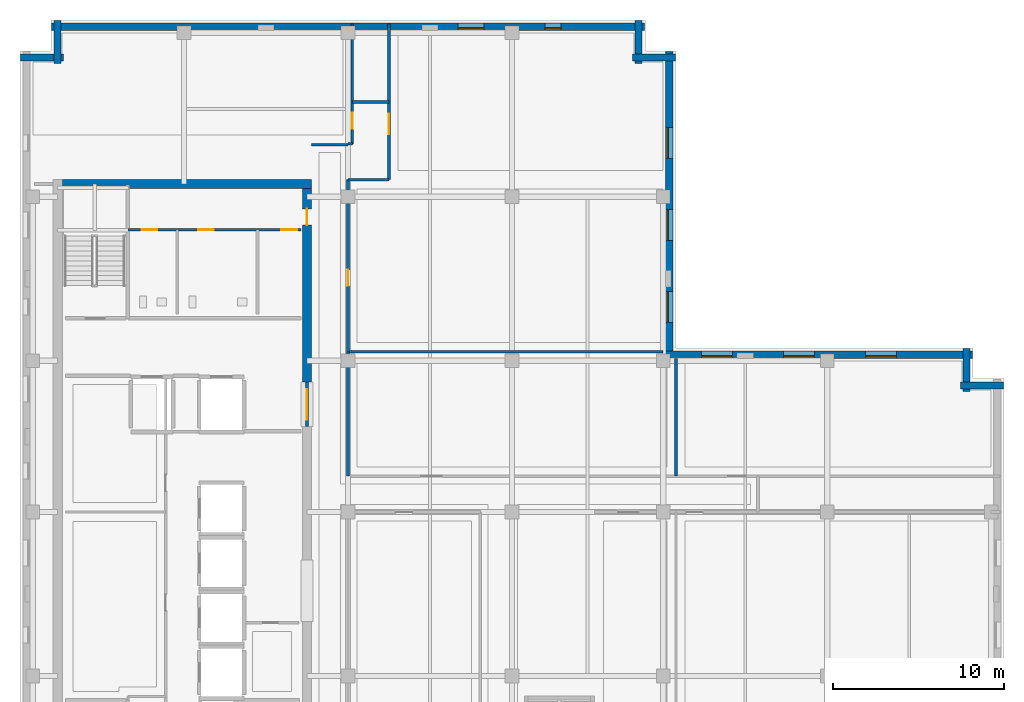
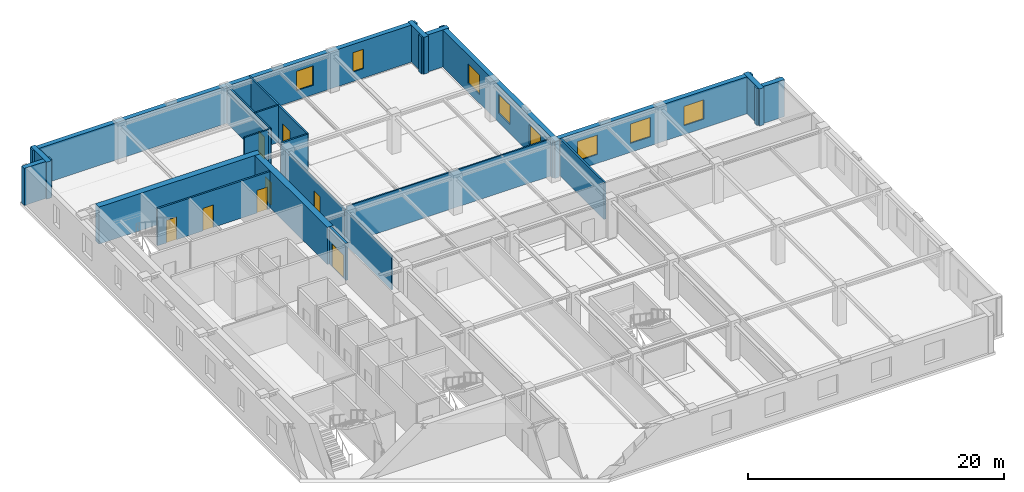
# One storey, part 6 of 12: 23 walls, 8 doors, 8 windows, 16 openings.
"""IFC4 building model written with IfcOpenShell, lengths in metres."""

from ifc_helpers import new_model, si_unit, direction, frame, frame_2d, origin, place, context, subcontext, project, spatial, rectangle, extrude, material, layer, layer_set, type_object, element, fill, save


model = new_model("IFC4")

# Units and contexts
model_context = context("Model", 3, precision=1e-05, world=origin(), true_north=direction((0.0, 1.0)))
body_context = subcontext(model_context, "Body", "Model", "MODEL_VIEW")
ifc_project = project(units=[si_unit("LENGTHUNIT", "METRE"), si_unit("AREAUNIT", "SQUARE_METRE"), si_unit("VOLUMEUNIT", "CUBIC_METRE"), si_unit("PLANEANGLEUNIT", "RADIAN"), si_unit("MASSUNIT", "GRAM", prefix="KILO")], contexts=[model_context])

# Site, building, storey
site_placement = place(None, origin())
site = spatial("IfcSite", under=ifc_project, at=site_placement, CompositionType="ELEMENT")
building_placement = place(site_placement, origin())
building = spatial("IfcBuilding", under=site, at=building_placement, Name="Norrvale University Quadrangle", CompositionType="ELEMENT")
storey_placement = place(building_placement, frame((0.0, 0.0, 240.800048828125)))
storey = spatial("IfcBuildingStorey", under=building, at=storey_placement, Name="L61", CompositionType="ELEMENT", Elevation=240.800048828125)

# Walls
ifc_material_1 = material(Name="Buff Norman Clay Brick Masonry", Category="masonry")
ifc_layer_1 = layer(ifc_material_1, 0.419921875, Name="Buff Norman Clay Brick Masonry")
ifc_layer_set_1 = layer_set([ifc_layer_1], Name="Buff Norman Clay Brick Masonry")
wall_type_1 = type_object("IfcWallType", Name="Wall Buff Brick 420", PredefinedType="SOLIDWALL", material=ifc_layer_set_1)
for number, where, z_axis, x_axis, name in (
    (1, (57.56005859375, 36.2099609375, 0.0), (0.0, 0.0, 1.0), (-1.0, 0.0, 0.0), "Exterior Brick Facade Wall L61-05.1"),
    (2, (55.409912109375, 35.860107421875, 0.0), (0.0, 0.0, 1.0), (0.0, 1.0, 0.0), "Exterior Brick Facade Wall L61-06.1"),
):
    element("IfcWall", number, at=place(storey_placement, frame(where, z_axis=z_axis, x_axis=x_axis)), inside=storey, type_object=wall_type_1, Name=name, PredefinedType="SOLIDWALL", context=body_context, shape_type="SweptSolid", body=[
        extrude(rectangle(XDim=2.5, YDim=0.419921875, at=frame_2d((1.25, 0.0))), origin(), (0.0, 0.0, 1.0), 3.5400390625),
    ])

# Wall, openings, windows
wall_1_placement = place(storey_placement, frame((55.760009765625, 38.010009765625, 0.0), z_axis=(0.0, 0.0, 1.0), x_axis=(-1.0, 0.0, 0.0)))
wall_1 = element("IfcWall", 3, at=wall_1_placement, inside=storey, type_object=wall_type_1, Name="Exterior Brick Facade Wall L61-07.1", PredefinedType="SOLIDWALL", context=body_context, shape_type="SweptSolid", body=[
    extrude(rectangle(XDim=18.10009765625, YDim=0.419921875, at=frame_2d((9.050048828125, 0.0))), origin(), (0.0, 0.0, 1.0), 3.5400390625),
])
opening_1_placement = place(wall_1_placement, frame((4.4599609375, 0.0, 0.85009765625)))
opening_1 = element("IfcOpeningElement", 4, at=opening_1_placement, cuts=wall_1, Name="Opening W01", PredefinedType="OPENING", context=body_context, shape_type="SweptSolid", body=[
    extrude(rectangle(XDim=1.800048828125, YDim=1.85009765625, at=frame_2d((0.89990234375, 0.925048828125))), frame((0.0, 0.221923828125, 0.0), z_axis=(0.0, -1.0, 0.0), x_axis=(1.0, 0.0, 0.0)), (0.0, 0.0, 1.0), 0.44384765625),
])
opening_2_placement = place(wall_1_placement, frame((9.260009765625, 0.0, 0.85009765625)))
opening_2 = element("IfcOpeningElement", 5, at=opening_2_placement, cuts=wall_1, Name="Opening W01", PredefinedType="OPENING", context=body_context, shape_type="SweptSolid", body=[
    extrude(rectangle(XDim=1.800048828125, YDim=1.85009765625, at=frame_2d((0.89990234375, 0.925048828125))), frame((0.0, 0.221923828125, 0.0), z_axis=(0.0, -1.0, 0.0), x_axis=(1.0, 0.0, 0.0)), (0.0, 0.0, 1.0), 0.44384765625),
])
opening_3_placement = place(wall_1_placement, frame((14.06005859375, 0.0, 0.85009765625)))
opening_3 = element("IfcOpeningElement", 6, at=opening_3_placement, cuts=wall_1, Name="Opening W01", PredefinedType="OPENING", context=body_context, shape_type="SweptSolid", body=[
    extrude(rectangle(XDim=1.800048828125, YDim=1.85009765625, at=frame_2d((0.89990234375, 0.925048828125))), frame((0.0, 0.221923828125, 0.0), z_axis=(0.0, -1.0, 0.0), x_axis=(1.0, 0.0, 0.0)), (0.0, 0.0, 1.0), 0.44384765625),
])
ifc_material_2 = material(Name="Triple Low-E Argon Glazing", Category="glass")
window_type_1 = type_object("IfcWindowType", Name="Window Academic 1800x2300", PartitioningType="DOUBLE_PANEL_VERTICAL", PredefinedType="WINDOW", material=ifc_material_2)
window_1_placement = place(opening_1_placement, origin())
window_1 = element("IfcWindow", 7, at=window_1_placement, inside=storey, type_object=window_type_1, Name="Window Academic 1800x2300 WIN-L61-E07-1-01", OverallHeight=1.85009765625, OverallWidth=1.800048828125, PartitioningType="DOUBLE_PANEL_VERTICAL", PredefinedType="WINDOW", context=body_context, shape_type="SweptSolid", body=[
    extrude(rectangle(XDim=1.800048828125, YDim=1.85009765625, at=frame_2d((0.89990234375, 0.925048828125))), frame((0.0, 0.110107421875, 0.0), z_axis=(0.0, -1.0, 0.0), x_axis=(1.0, 0.0, 0.0)), (0.0, 0.0, 1.0), 0.06005859375),
])
fill(opening_1, window_1)
window_2_placement = place(opening_2_placement, origin())
window_2 = element("IfcWindow", 8, at=window_2_placement, inside=storey, type_object=window_type_1, Name="Window Academic 1800x2300 WIN-L61-E07-1-02", OverallHeight=1.85009765625, OverallWidth=1.800048828125, PartitioningType="DOUBLE_PANEL_VERTICAL", PredefinedType="WINDOW", context=body_context, shape_type="SweptSolid", body=[
    extrude(rectangle(XDim=1.800048828125, YDim=1.85009765625, at=frame_2d((0.89990234375, 0.925048828125))), frame((0.0, 0.110107421875, 0.0), z_axis=(0.0, -1.0, 0.0), x_axis=(1.0, 0.0, 0.0)), (0.0, 0.0, 1.0), 0.06005859375),
])
fill(opening_2, window_2)
window_3_placement = place(opening_3_placement, origin())
window_3 = element("IfcWindow", 9, at=window_3_placement, inside=storey, type_object=window_type_1, Name="Window Academic 1800x2300 WIN-L61-E07-1-03", OverallHeight=1.85009765625, OverallWidth=1.800048828125, PartitioningType="DOUBLE_PANEL_VERTICAL", PredefinedType="WINDOW", context=body_context, shape_type="SweptSolid", body=[
    extrude(rectangle(XDim=1.800048828125, YDim=1.85009765625, at=frame_2d((0.89990234375, 0.925048828125))), frame((0.0, 0.110107421875, 0.0), z_axis=(0.0, -1.0, 0.0), x_axis=(1.0, 0.0, 0.0)), (0.0, 0.0, 1.0), 0.06005859375),
])
fill(opening_3, window_3)

wall_2_placement = place(storey_placement, frame((38.010009765625, 37.659912109375, 0.0), z_axis=(0.0, 0.0, 1.0), x_axis=(0.0, 1.0, 0.0)))
wall_2 = element("IfcWall", 10, at=wall_2_placement, inside=storey, type_object=wall_type_1, Name="Exterior Brick Facade Wall L61-08.1", PredefinedType="SOLIDWALL", context=body_context, shape_type="SweptSolid", body=[
    extrude(rectangle(XDim=18.10009765625, YDim=0.419921875, at=frame_2d((9.050048828125, 0.0))), origin(), (0.0, 0.0, 1.0), 3.5400390625),
])
opening_4_placement = place(wall_2_placement, frame((2.239990234375, 0.0, 0.85009765625)))
opening_4 = element("IfcOpeningElement", 11, at=opening_4_placement, cuts=wall_2, Name="Opening W01", PredefinedType="OPENING", context=body_context, shape_type="SweptSolid", body=[
    extrude(rectangle(XDim=1.800048828125, YDim=1.85009765625, at=frame_2d((0.89990234375, 0.925048828125))), frame((0.0, 0.221923828125, 0.0), z_axis=(0.0, -1.0, 0.0), x_axis=(1.0, 0.0, 0.0)), (0.0, 0.0, 1.0), 0.44384765625),
])
opening_5_placement = place(wall_2_placement, frame((7.0400390625, 0.0, 0.85009765625)))
opening_5 = element("IfcOpeningElement", 12, at=opening_5_placement, cuts=wall_2, Name="Opening W01", PredefinedType="OPENING", context=body_context, shape_type="SweptSolid", body=[
    extrude(rectangle(XDim=1.800048828125, YDim=1.85009765625, at=frame_2d((0.89990234375, 0.925048828125))), frame((0.0, 0.221923828125, 0.0), z_axis=(0.0, -1.0, 0.0), x_axis=(1.0, 0.0, 0.0)), (0.0, 0.0, 1.0), 0.44384765625),
])
opening_6_placement = place(wall_2_placement, frame((11.840087890625, 0.0, 0.85009765625)))
opening_6 = element("IfcOpeningElement", 13, at=opening_6_placement, cuts=wall_2, Name="Opening W01", PredefinedType="OPENING", context=body_context, shape_type="SweptSolid", body=[
    extrude(rectangle(XDim=1.800048828125, YDim=1.85009765625, at=frame_2d((0.89990234375, 0.925048828125))), frame((0.0, 0.221923828125, 0.0), z_axis=(0.0, -1.0, 0.0), x_axis=(1.0, 0.0, 0.0)), (0.0, 0.0, 1.0), 0.44384765625),
])
window_4_placement = place(opening_4_placement, origin())
window_4 = element("IfcWindow", 14, at=window_4_placement, inside=storey, type_object=window_type_1, Name="Window Academic 1800x2300 WIN-L61-E08-1-01", OverallHeight=1.85009765625, OverallWidth=1.800048828125, PartitioningType="DOUBLE_PANEL_VERTICAL", PredefinedType="WINDOW", context=body_context, shape_type="SweptSolid", body=[
    extrude(rectangle(XDim=1.800048828125, YDim=1.85009765625, at=frame_2d((0.89990234375, 0.925048828125))), frame((0.0, 0.110107421875, 0.0), z_axis=(0.0, -1.0, 0.0), x_axis=(1.0, 0.0, 0.0)), (0.0, 0.0, 1.0), 0.06005859375),
])
fill(opening_4, window_4)
window_5_placement = place(opening_5_placement, origin())
window_5 = element("IfcWindow", 15, at=window_5_placement, inside=storey, type_object=window_type_1, Name="Window Academic 1800x2300 WIN-L61-E08-1-02", OverallHeight=1.85009765625, OverallWidth=1.800048828125, PartitioningType="DOUBLE_PANEL_VERTICAL", PredefinedType="WINDOW", context=body_context, shape_type="SweptSolid", body=[
    extrude(rectangle(XDim=1.800048828125, YDim=1.85009765625, at=frame_2d((0.89990234375, 0.925048828125))), frame((0.0, 0.110107421875, 0.0), z_axis=(0.0, -1.0, 0.0), x_axis=(1.0, 0.0, 0.0)), (0.0, 0.0, 1.0), 0.06005859375),
])
fill(opening_5, window_5)
window_6_placement = place(opening_6_placement, origin())
window_6 = element("IfcWindow", 16, at=window_6_placement, inside=storey, type_object=window_type_1, Name="Window Academic 1800x2300 WIN-L61-E08-1-03", OverallHeight=1.85009765625, OverallWidth=1.800048828125, PartitioningType="DOUBLE_PANEL_VERTICAL", PredefinedType="WINDOW", context=body_context, shape_type="SweptSolid", body=[
    extrude(rectangle(XDim=1.800048828125, YDim=1.85009765625, at=frame_2d((0.89990234375, 0.925048828125))), frame((0.0, 0.110107421875, 0.0), z_axis=(0.0, -1.0, 0.0), x_axis=(1.0, 0.0, 0.0)), (0.0, 0.0, 1.0), 0.06005859375),
])
fill(opening_6, window_6)

# Walls
for number, where, z_axis, x_axis, name in (
    (17, (38.360107421875, 55.409912109375, 0.0), (0.0, 0.0, 1.0), (-1.0, 0.0, 0.0), "Exterior Brick Facade Wall L61-09.1"),
    (18, (36.2099609375, 55.06005859375, 0.0), (0.0, 0.0, 1.0), (0.0, 1.0, 0.0), "Exterior Brick Facade Wall L61-10.1"),
):
    element("IfcWall", number, at=place(storey_placement, frame(where, z_axis=z_axis, x_axis=x_axis)), inside=storey, type_object=wall_type_1, Name=name, PredefinedType="SOLIDWALL", context=body_context, shape_type="SweptSolid", body=[
        extrude(rectangle(XDim=2.5, YDim=0.419921875, at=frame_2d((1.25, 0.0))), origin(), (0.0, 0.0, 1.0), 3.5400390625),
    ])

# Wall, openings, windows
wall_3_placement = place(storey_placement, frame((36.56005859375, 57.2099609375, 0.0), z_axis=(0.0, 0.0, 1.0), x_axis=(-1.0, 0.0, 0.0)))
wall_3 = element("IfcWall", 19, at=wall_3_placement, inside=storey, type_object=wall_type_1, Name="Exterior Brick Facade Wall L61-11.1", PredefinedType="SOLIDWALL", context=body_context, shape_type="SweptSolid", body=[
    extrude(rectangle(XDim=34.719970703125, YDim=0.419921875, at=frame_2d((17.35986328125, 0.0))), origin(), (0.0, 0.0, 1.0), 3.5400390625),
])
opening_7_placement = place(wall_3_placement, frame((4.885009765625, 0.0, 0.89990234375)))
opening_7 = element("IfcOpeningElement", 20, at=opening_7_placement, cuts=wall_3, Name="Opening W04", PredefinedType="OPENING", context=body_context, shape_type="SweptSolid", body=[
    extrude(rectangle(XDim=0.949951171875, YDim=1.85009765625, at=frame_2d((0.47509765625, 0.925048828125))), frame((0.0, 0.221923828125, 0.0), z_axis=(0.0, -1.0, 0.0), x_axis=(1.0, 0.0, 0.0)), (0.0, 0.0, 1.0), 0.44384765625),
])
opening_8_placement = place(wall_3_placement, frame((9.409912109375, 0.0, 0.89990234375)))
opening_8 = element("IfcOpeningElement", 21, at=opening_8_placement, cuts=wall_3, Name="Opening W03", PredefinedType="OPENING", context=body_context, shape_type="SweptSolid", body=[
    extrude(rectangle(XDim=1.5, YDim=1.85009765625, at=frame_2d((0.75, 0.925048828125))), frame((0.0, 0.221923828125, 0.0), z_axis=(0.0, -1.0, 0.0), x_axis=(1.0, 0.0, 0.0)), (0.0, 0.0, 1.0), 0.44384765625),
])
window_type_2 = type_object("IfcWindowType", Name="Window Narrow Pier 950x2300", PartitioningType="SINGLE_PANEL", PredefinedType="WINDOW", material=ifc_material_2)
window_7_placement = place(opening_7_placement, origin())
window_7 = element("IfcWindow", 22, at=window_7_placement, inside=storey, type_object=window_type_2, Name="Window Narrow Pier 950x2300 WIN-L61-E11-1-01", OverallHeight=1.85009765625, OverallWidth=0.949951171875, PartitioningType="SINGLE_PANEL", PredefinedType="WINDOW", context=body_context, shape_type="SweptSolid", body=[
    extrude(rectangle(XDim=0.949951171875, YDim=1.85009765625, at=frame_2d((0.47509765625, 0.925048828125))), frame((0.0, 0.110107421875, 0.0), z_axis=(0.0, -1.0, 0.0), x_axis=(1.0, 0.0, 0.0)), (0.0, 0.0, 1.0), 0.06005859375),
])
fill(opening_7, window_7)
window_type_3 = type_object("IfcWindowType", Name="Window Studio 1500x2300", PartitioningType="DOUBLE_PANEL_VERTICAL", PredefinedType="WINDOW", material=ifc_material_2)
window_8_placement = place(opening_8_placement, origin())
window_8 = element("IfcWindow", 23, at=window_8_placement, inside=storey, type_object=window_type_3, Name="Window Studio 1500x2300 WIN-L61-E11-1-02", OverallHeight=1.85009765625, OverallWidth=1.5, PartitioningType="DOUBLE_PANEL_VERTICAL", PredefinedType="WINDOW", context=body_context, shape_type="SweptSolid", body=[
    extrude(rectangle(XDim=1.5, YDim=1.85009765625, at=frame_2d((0.75, 0.925048828125))), frame((0.0, 0.110107421875, 0.0), z_axis=(0.0, -1.0, 0.0), x_axis=(1.0, 0.0, 0.0)), (0.0, 0.0, 1.0), 0.06005859375),
])
fill(opening_8, window_8)

# Walls
for number, where, z_axis, x_axis, name in (
    (24, (2.18994140625, 57.56005859375, 0.0), (0.0, 0.0, 1.0), (0.0, -1.0, 0.0), "Exterior Brick Facade Wall L61-12.1"),
    (25, (2.5400390625, 55.409912109375, 0.0), (0.0, 0.0, 1.0), (-1.0, 0.0, 0.0), "Exterior Brick Facade Wall L61-13.1"),
):
    element("IfcWall", number, at=place(storey_placement, frame(where, z_axis=z_axis, x_axis=x_axis)), inside=storey, type_object=wall_type_1, Name=name, PredefinedType="SOLIDWALL", context=body_context, shape_type="SweptSolid", body=[
        extrude(rectangle(XDim=2.5, YDim=0.419921875, at=frame_2d((1.25, 0.0))), origin(), (0.0, 0.0, 1.0), 3.5400390625),
    ])
ifc_material_3 = material(Name="Concrete C60/75", Category="concrete")
ifc_layer_2 = layer(ifc_material_3, 0.550048828125, Name="Concrete C60/75")
ifc_layer_set_2 = layer_set([ifc_layer_2], Name="Concrete C60/75")
wall_type_2 = type_object("IfcWallType", Name="Wall Core 550", PredefinedType="SHEAR", material=ifc_layer_set_2)
wall_4_placement = place(storey_placement, frame((2.47509765625, 48.0, 0.0), z_axis=(0.0, 0.0, 1.0), x_axis=(1.0, 0.0, 0.0)))
element("IfcWall", 26, at=wall_4_placement, inside=storey, type_object=wall_type_2, Name="Tower Core Shear Wall L61-N", PredefinedType="SHEAR", context=body_context, shape_type="SweptSolid", body=[
    extrude(rectangle(XDim=14.599853515625, YDim=0.550048828125, at=frame_2d((7.2998046875, 0.0))), origin(), (0.0, 0.0, 1.0), 3.5400390625),
])

# Wall, opening, door
wall_5_placement = place(storey_placement, frame((16.800048828125, 36.39990234375, 0.0), z_axis=(0.0, 0.0, 1.0), x_axis=(0.0, 1.0, 0.0)))
wall_5 = element("IfcWall", 27, at=wall_5_placement, inside=storey, type_object=wall_type_2, Name="Tower Core Shear Wall L61-E3", PredefinedType="SHEAR", context=body_context, shape_type="SweptSolid", body=[
    extrude(rectangle(XDim=11.3251953125, YDim=0.550048828125, at=frame_2d((5.66259765625, 0.0))), origin(), (0.0, 0.0, 1.0), 3.5400390625),
])
opening_9_placement = place(wall_5_placement, frame((9.199951171875, 0.0, 0.0)))
opening_9 = element("IfcOpeningElement", 28, at=opening_9_placement, cuts=wall_5, Name="Opening D07", PredefinedType="OPENING", context=body_context, shape_type="SweptSolid", body=[
    extrude(rectangle(XDim=0.949951171875, YDim=2.14990234375, at=frame_2d((0.47509765625, 1.074951171875))), frame((0.0, 0.287109375, 0.0), z_axis=(0.0, -1.0, 0.0), x_axis=(1.0, 0.0, 0.0)), (0.0, 0.0, 1.0), 0.573974609375),
])
ifc_material_4 = material(Name="Solid-Core Maple Door", Category="wood")
door_type_1 = type_object("IfcDoorType", Name="Door Office 950x2150", OperationType="NOTDEFINED", PredefinedType="DOOR", material=ifc_material_4)
door_1_placement = place(opening_9_placement, origin())
door_1 = element("IfcDoor", 29, at=door_1_placement, inside=storey, type_object=door_type_1, Name="Door Office 950x2150 DR-L61-NECORR", OperationType="SINGLE_SWING_RIGHT", OverallHeight=2.14990234375, OverallWidth=0.949951171875, PredefinedType="DOOR", context=body_context, shape_type="SweptSolid", body=[
    extrude(rectangle(XDim=0.949951171875, YDim=2.14990234375, at=frame_2d((0.47509765625, 1.074951171875))), frame((0.0, 0.02490234375, 0.0), z_axis=(0.0, -1.0, 0.0), x_axis=(1.0, 0.0, 0.0)), (0.0, 0.0, 1.0), 0.050048828125),
])
fill(opening_9, door_1)

# Walls
ifc_material_5 = material(Name="Standard Academic Gypsum Partition")
ifc_layer_3 = layer(ifc_material_5, 0.125, Name="Standard Academic Gypsum Partition")
ifc_layer_set_3 = layer_set([ifc_layer_3], Name="Standard Academic Gypsum Partition")
wall_type_3 = type_object("IfcWallType", Name="Wall Gypsum Academic 125", PredefinedType="PARTITIONING", material=ifc_layer_set_3)
wall_6_placement = place(storey_placement, frame((19.280029296875, 38.179931640625, 0.0), z_axis=(0.0, 0.0, 1.0), x_axis=(1.0, 0.0, 0.0)))
element("IfcWall", 30, at=wall_6_placement, inside=storey, type_object=wall_type_3, Name="Interior Partition WL-L61-ME-N", PredefinedType="PARTITIONING", context=body_context, shape_type="SweptSolid", body=[
    extrude(rectangle(XDim=18.369873046875, YDim=0.125, at=frame_2d((9.18505859375, 0.0))), origin(), (0.0, 0.0, 1.0), 3.5400390625),
])
ifc_material_6 = material(Name="Fire-Rated Gypsum Stud Partition")
ifc_layer_4 = layer(ifc_material_6, 0.14990234375, Name="Fire-Rated Gypsum Stud Partition")
ifc_layer_set_4 = layer_set([ifc_layer_4], Name="Fire-Rated Gypsum Stud Partition")
wall_type_4 = type_object("IfcWallType", Name="Wall Gypsum Corridor 150", PredefinedType="PARTITIONING", material=ifc_layer_set_4)
wall_7_placement = place(storey_placement, frame((17.050048828125, 50.300048828125, 0.0), z_axis=(0.0, 0.0, 1.0), x_axis=(1.0, 0.0, 0.0)))
element("IfcWall", 31, at=wall_7_placement, inside=storey, type_object=wall_type_4, Name="Interior Partition WL-L61-CSP-N", PredefinedType="PARTITIONING", context=body_context, shape_type="SweptSolid", body=[
    extrude(rectangle(XDim=2.14990234375, YDim=0.14990234375, at=frame_2d((1.074951171875, 0.0))), origin(), (0.0, 0.0, 1.0), 3.5400390625),
])
wall_8_placement = place(storey_placement, frame((19.199951171875, 30.89990234375, 0.0), z_axis=(0.0, 0.0, 1.0), x_axis=(0.0, 1.0, 0.0)))
element("IfcWall", 32, at=wall_8_placement, inside=storey, type_object=wall_type_4, Name="Interior Partition WL-L61-ME-W", PredefinedType="PARTITIONING", context=body_context, shape_type="SweptSolid", body=[
    extrude(rectangle(XDim=7.280029296875, YDim=0.14990234375, at=frame_2d((3.64013671875, 0.0))), origin(), (0.0, 0.0, 1.0), 3.23193359375),
])

# Wall, opening, door
wall_9_placement = place(storey_placement, frame((19.199951171875, 38.179931640625, 0.0), z_axis=(0.0, 0.0, 1.0), x_axis=(0.0, 1.0, 0.0)))
wall_9 = element("IfcWall", 33, at=wall_9_placement, inside=storey, type_object=wall_type_4, Name="Interior Partition WL-L61-MNECW", PredefinedType="PARTITIONING", context=body_context, shape_type="SweptSolid", body=[
    extrude(rectangle(XDim=10.070068359375, YDim=0.14990234375, at=frame_2d((5.03515625, 0.0))), origin(), (0.0, 0.0, 1.0), 3.23193359375),
])
opening_10_placement = place(wall_9_placement, frame((3.85009765625, 0.0, 0.0)))
opening_10 = element("IfcOpeningElement", 34, at=opening_10_placement, cuts=wall_9, Name="Opening D07", PredefinedType="OPENING", context=body_context, shape_type="SweptSolid", body=[
    extrude(rectangle(XDim=0.949951171875, YDim=2.14990234375, at=frame_2d((0.47509765625, 1.074951171875))), frame((0.0, 0.0869140625, 0.0), z_axis=(0.0, -1.0, 0.0), x_axis=(1.0, 0.0, 0.0)), (0.0, 0.0, 1.0), 0.173828125),
])
door_2_placement = place(opening_10_placement, origin())
door_2 = element("IfcDoor", 35, at=door_2_placement, inside=storey, type_object=door_type_1, Name="Door Office 950x2150 DR-L61-MNE01", OperationType="SINGLE_SWING_RIGHT", OverallHeight=2.14990234375, OverallWidth=0.949951171875, PredefinedType="DOOR", context=body_context, shape_type="SweptSolid", body=[
    extrude(rectangle(XDim=0.949951171875, YDim=2.14990234375, at=frame_2d((0.47509765625, 1.074951171875))), frame((0.0, 0.02490234375, 0.0), z_axis=(0.0, -1.0, 0.0), x_axis=(1.0, 0.0, 0.0)), (0.0, 0.0, 1.0), 0.050048828125),
])
fill(opening_10, door_2)

# Walls
wall_10_placement = place(storey_placement, frame((19.199951171875, 48.25, 0.0), z_axis=(0.0, 0.0, 1.0), x_axis=(1.0, 0.0, 0.0)))
element("IfcWall", 36, at=wall_10_placement, inside=storey, type_object=wall_type_4, Name="Interior Partition WL-L61-JOGS", PredefinedType="PARTITIONING", context=body_context, shape_type="SweptSolid", body=[
    extrude(rectangle(XDim=2.400146484375, YDim=0.14990234375, at=frame_2d((1.2001953125, 0.0))), origin(), (0.0, 0.0, 1.0), 3.5400390625),
])
wall_11_placement = place(storey_placement, frame((19.199951171875, 50.35009765625, 0.0), z_axis=(0.0, 0.0, 1.0), x_axis=(1.0, 0.0, 0.0)))
element("IfcWall", 37, at=wall_11_placement, inside=storey, type_object=wall_type_4, Name="Interior Partition WL-L61-JOGN", PredefinedType="PARTITIONING", context=body_context, shape_type="SweptSolid", body=[
    extrude(rectangle(XDim=0.25, YDim=0.14990234375, at=frame_2d((0.125, 0.0))), origin(), (0.0, 0.0, 1.0), 3.5400390625),
])
wall_12_placement = place(storey_placement, frame((19.449951171875, 52.800048828125, 0.0), z_axis=(0.0, 0.0, 1.0), x_axis=(1.0, 0.0, 0.0)))
element("IfcWall", 38, at=wall_12_placement, inside=storey, type_object=wall_type_4, Name="Interior Partition WL-L61-JOGEND", PredefinedType="PARTITIONING", context=body_context, shape_type="SweptSolid", body=[
    extrude(rectangle(XDim=2.150146484375, YDim=0.14990234375, at=frame_2d((1.0751953125, 0.0))), origin(), (0.0, 0.0, 1.0), 3.5400390625),
])

# Wall, opening, door
wall_13_placement = place(storey_placement, frame((21.60009765625, 48.25, 0.0), z_axis=(0.0, 0.0, 1.0), x_axis=(0.0, 1.0, 0.0)))
wall_13 = element("IfcWall", 39, at=wall_13_placement, inside=storey, type_object=wall_type_4, Name="Interior Partition WL-L61-NECW", PredefinedType="PARTITIONING", context=body_context, shape_type="SweptSolid", body=[
    extrude(rectangle(XDim=9.1298828125, YDim=0.14990234375, at=frame_2d((4.56494140625, 0.0))), origin(), (0.0, 0.0, 1.0), 3.5400390625),
])
opening_11_placement = place(wall_13_placement, frame((2.64990234375, 0.0, 0.0)))
opening_11 = element("IfcOpeningElement", 40, at=opening_11_placement, cuts=wall_13, Name="Opening D05", PredefinedType="OPENING", context=body_context, shape_type="SweptSolid", body=[
    extrude(rectangle(XDim=1.199951171875, YDim=2.199951171875, at=frame_2d((0.60009765625, 1.10009765625))), frame((0.0, 0.0869140625, 0.0), z_axis=(0.0, -1.0, 0.0), x_axis=(1.0, 0.0, 0.0)), (0.0, 0.0, 1.0), 0.173828125),
])
ifc_material_7 = material(Name="Acoustic Oak Classroom Door", Category="wood")
door_type_2 = type_object("IfcDoorType", Name="Door Classroom 1200x2200", OperationType="NOTDEFINED", PredefinedType="DOOR", material=ifc_material_7)
door_3_placement = place(opening_11_placement, origin())
door_3 = element("IfcDoor", 41, at=door_3_placement, inside=storey, type_object=door_type_2, Name="Door Classroom 1200x2200 DR-L61-NE01", OperationType="SINGLE_SWING_RIGHT", OverallHeight=2.199951171875, OverallWidth=1.199951171875, PredefinedType="DOOR", context=body_context, shape_type="SweptSolid", body=[
    extrude(rectangle(XDim=1.199951171875, YDim=2.199951171875, at=frame_2d((0.60009765625, 1.10009765625))), frame((0.0, 0.02490234375, 0.0), z_axis=(0.0, -1.0, 0.0), x_axis=(1.0, 0.0, 0.0)), (0.0, 0.0, 1.0), 0.050048828125),
])
fill(opening_11, door_3)

wall_14_placement = place(storey_placement, frame((19.449951171875, 50.35009765625, 0.0), z_axis=(0.0, 0.0, 1.0), x_axis=(0.0, 1.0, 0.0)))
wall_14 = element("IfcWall", 42, at=wall_14_placement, inside=storey, type_object=wall_type_4, Name="Interior Partition WL-L61-NWCW", PredefinedType="PARTITIONING", context=body_context, shape_type="SweptSolid", body=[
    extrude(rectangle(XDim=7.02978515625, YDim=0.14990234375, at=frame_2d((3.514892578125, 0.0))), origin(), (0.0, 0.0, 1.0), 3.5400390625),
])
opening_12_placement = place(wall_14_placement, frame((0.875, 0.0, 0.0)))
opening_12 = element("IfcOpeningElement", 43, at=opening_12_placement, cuts=wall_14, Name="Opening D07", PredefinedType="OPENING", context=body_context, shape_type="SweptSolid", body=[
    extrude(rectangle(XDim=0.949951171875, YDim=2.14990234375, at=frame_2d((0.47509765625, 1.074951171875))), frame((0.0, 0.0869140625, 0.0), z_axis=(0.0, -1.0, 0.0), x_axis=(1.0, 0.0, 0.0)), (0.0, 0.0, 1.0), 0.173828125),
])
door_4_placement = place(opening_12_placement, origin())
door_4 = element("IfcDoor", 44, at=door_4_placement, inside=storey, type_object=door_type_1, Name="Door Office 950x2150 DR-L61-NW01", OperationType="SINGLE_SWING_RIGHT", OverallHeight=2.14990234375, OverallWidth=0.949951171875, PredefinedType="DOOR", context=body_context, shape_type="SweptSolid", body=[
    extrude(rectangle(XDim=0.949951171875, YDim=2.14990234375, at=frame_2d((0.47509765625, 1.074951171875))), frame((0.0, 0.02490234375, 0.0), z_axis=(0.0, -1.0, 0.0), x_axis=(1.0, 0.0, 0.0)), (0.0, 0.0, 1.0), 0.050048828125),
])
fill(opening_12, door_4)

# Wall, openings, doors
ifc_material_8 = material(Name="Sanitary Chase Gypsum Partition")
ifc_layer_5 = layer(ifc_material_8, 0.1650390625, Name="Sanitary Chase Gypsum Partition")
ifc_layer_set_5 = layer_set([ifc_layer_5], Name="Sanitary Chase Gypsum Partition")
wall_type_5 = type_object("IfcWallType", Name="Wall Gypsum Sanitary 165", PredefinedType="PLUMBINGWALL", material=ifc_layer_set_5)
wall_15_placement = place(storey_placement, frame((6.320068359375, 45.320068359375, 0.0), z_axis=(0.0, 0.0, 1.0), x_axis=(1.0, 0.0, 0.0)))
wall_15 = element("IfcWall", 45, at=wall_15_placement, inside=storey, type_object=wall_type_5, Name="Interior Partition WL-L61-WCN", PredefinedType="PLUMBINGWALL", context=body_context, shape_type="SweptSolid", body=[
    extrude(rectangle(XDim=10.1298828125, YDim=0.1650390625, at=frame_2d((5.06494140625, 0.0))), origin(), (0.0, 0.0, 1.0), 3.5400390625),
])
opening_13_placement = place(wall_15_placement, frame((0.800048828125, 0.0, 0.0)))
opening_13 = element("IfcOpeningElement", 46, at=opening_13_placement, cuts=wall_15, Name="Opening D08", PredefinedType="OPENING", context=body_context, shape_type="SweptSolid", body=[
    extrude(rectangle(XDim=0.919921875, YDim=2.14990234375, at=frame_2d((0.4599609375, 1.074951171875))), frame((0.0, 0.094482421875, 0.0), z_axis=(0.0, -1.0, 0.0), x_axis=(1.0, 0.0, 0.0)), (0.0, 0.0, 1.0), 0.18896484375),
])
opening_14_placement = place(wall_15_placement, frame((4.10009765625, 0.0, 0.0)))
opening_14 = element("IfcOpeningElement", 47, at=opening_14_placement, cuts=wall_15, Name="Opening D08", PredefinedType="OPENING", context=body_context, shape_type="SweptSolid", body=[
    extrude(rectangle(XDim=0.919921875, YDim=2.14990234375, at=frame_2d((0.4599609375, 1.074951171875))), frame((0.0, 0.094482421875, 0.0), z_axis=(0.0, -1.0, 0.0), x_axis=(1.0, 0.0, 0.0)), (0.0, 0.0, 1.0), 0.18896484375),
])
opening_15_placement = place(wall_15_placement, frame((8.97998046875, 0.0, 0.0)))
opening_15 = element("IfcOpeningElement", 48, at=opening_15_placement, cuts=wall_15, Name="Opening D08", PredefinedType="OPENING", context=body_context, shape_type="SweptSolid", body=[
    extrude(rectangle(XDim=0.919921875, YDim=2.14990234375, at=frame_2d((0.4599609375, 1.074951171875))), frame((0.0, 0.094482421875, 0.0), z_axis=(0.0, -1.0, 0.0), x_axis=(1.0, 0.0, 0.0)), (0.0, 0.0, 1.0), 0.18896484375),
])
ifc_material_9 = material(Name="Laminate Washroom Door", Category="wood")
door_type_3 = type_object("IfcDoorType", Name="Door Washroom 920x2150", OperationType="NOTDEFINED", PredefinedType="DOOR", material=ifc_material_9)
door_5_placement = place(opening_13_placement, origin())
door_5 = element("IfcDoor", 49, at=door_5_placement, inside=storey, type_object=door_type_3, Name="Door Washroom 920x2150 DR-L61-WC1", OperationType="SINGLE_SWING_LEFT", OverallHeight=2.14990234375, OverallWidth=0.919921875, PredefinedType="DOOR", context=body_context, shape_type="SweptSolid", body=[
    extrude(rectangle(XDim=0.919921875, YDim=2.14990234375, at=frame_2d((0.4599609375, 1.074951171875))), frame((0.0, 0.02490234375, 0.0), z_axis=(0.0, -1.0, 0.0), x_axis=(1.0, 0.0, 0.0)), (0.0, 0.0, 1.0), 0.050048828125),
])
fill(opening_13, door_5)
door_6_placement = place(opening_14_placement, origin())
door_6 = element("IfcDoor", 50, at=door_6_placement, inside=storey, type_object=door_type_3, Name="Door Washroom 920x2150 DR-L61-WC2", OperationType="SINGLE_SWING_RIGHT", OverallHeight=2.14990234375, OverallWidth=0.919921875, PredefinedType="DOOR", context=body_context, shape_type="SweptSolid", body=[
    extrude(rectangle(XDim=0.919921875, YDim=2.14990234375, at=frame_2d((0.4599609375, 1.074951171875))), frame((0.0, 0.02490234375, 0.0), z_axis=(0.0, -1.0, 0.0), x_axis=(1.0, 0.0, 0.0)), (0.0, 0.0, 1.0), 0.050048828125),
])
fill(opening_14, door_6)
door_7_placement = place(opening_15_placement, origin())
door_7 = element("IfcDoor", 51, at=door_7_placement, inside=storey, type_object=door_type_3, Name="Door Washroom 920x2150 DR-L61-WC3", OperationType="SINGLE_SWING_LEFT", OverallHeight=2.14990234375, OverallWidth=0.919921875, PredefinedType="DOOR", context=body_context, shape_type="SweptSolid", body=[
    extrude(rectangle(XDim=0.919921875, YDim=2.14990234375, at=frame_2d((0.4599609375, 1.074951171875))), frame((0.0, 0.02490234375, 0.0), z_axis=(0.0, -1.0, 0.0), x_axis=(1.0, 0.0, 0.0)), (0.0, 0.0, 1.0), 0.050048828125),
])
fill(opening_15, door_7)

# Wall
wall_16_placement = place(storey_placement, frame((38.39990234375, 30.89990234375, 0.0), z_axis=(0.0, 0.0, 1.0), x_axis=(0.0, 1.0, 0.0)))
element("IfcWall", 52, at=wall_16_placement, inside=storey, type_object=wall_type_5, Name="Interior Partition WL-L61-MEP01", PredefinedType="PLUMBINGWALL", context=body_context, shape_type="SweptSolid", body=[
    extrude(rectangle(XDim=6.89013671875, YDim=0.1650390625, at=frame_2d((3.445068359375, 0.0))), origin(), (0.0, 0.0, 1.0), 3.5400390625),
])

# Wall, opening, door
ifc_material_10 = material(Name="Concrete Blockwork 20 MPa Rated Wall", Category="masonry")
ifc_layer_6 = layer(ifc_material_10, 0.199951171875, Name="Concrete Blockwork 20 MPa Rated Wall")
ifc_layer_set_6 = layer_set([ifc_layer_6], Name="Concrete Blockwork 20 MPa Rated Wall")
wall_type_6 = type_object("IfcWallType", Name="Wall Lobby 200", PredefinedType="SOLIDWALL", material=ifc_layer_set_6)
wall_17_placement = place(storey_placement, frame((16.800048828125, 33.800048828125, 0.0), z_axis=(0.0, 0.0, 1.0), x_axis=(0.0, 1.0, 0.0)))
wall_17 = element("IfcWall", 53, at=wall_17_placement, inside=storey, type_object=wall_type_6, Name="Interior Partition WL-L61-FFP", PredefinedType="SOLIDWALL", context=body_context, shape_type="SweptSolid", body=[
    extrude(rectangle(XDim=2.599853515625, YDim=0.199951171875, at=frame_2d((1.2998046875, 0.0))), origin(), (0.0, 0.0, 1.0), 3.5400390625),
])
opening_16_placement = place(wall_17_placement, frame((0.39990234375, 0.0, 0.0)))
opening_16 = element("IfcOpeningElement", 54, at=opening_16_placement, cuts=wall_17, Name="Opening D03", PredefinedType="OPENING", context=body_context, shape_type="SweptSolid", body=[
    extrude(rectangle(XDim=1.800048828125, YDim=2.199951171875, at=frame_2d((0.89990234375, 1.10009765625))), frame((0.0, 0.112060546875, 0.0), z_axis=(0.0, -1.0, 0.0), x_axis=(1.0, 0.0, 0.0)), (0.0, 0.0, 1.0), 0.223876953125),
])
ifc_material_11 = material(Name="Hollow Steel 350W Fire Door", Category="steel")
door_type_4 = type_object("IfcDoorType", Name="Door Fire Lobby 1800x2200", OperationType="DOUBLE_DOOR_SINGLE_SWING", PredefinedType="DOOR", material=ifc_material_11)
door_8_placement = place(opening_16_placement, origin())
door_8 = element("IfcDoor", 55, at=door_8_placement, inside=storey, type_object=door_type_4, Name="Door Fire Lobby 1800x2200 DR-L61-FFP", OperationType="DOUBLE_DOOR_SINGLE_SWING", OverallHeight=2.199951171875, OverallWidth=1.800048828125, PredefinedType="DOOR", context=body_context, shape_type="SweptSolid", body=[
    extrude(rectangle(XDim=1.800048828125, YDim=2.199951171875, at=frame_2d((0.89990234375, 1.10009765625))), frame((0.0, 0.02490234375, 0.0), z_axis=(0.0, -1.0, 0.0), x_axis=(1.0, 0.0, 0.0)), (0.0, 0.0, 1.0), 0.050048828125),
])
fill(opening_16, door_8)

save(model, "model.ifc")
